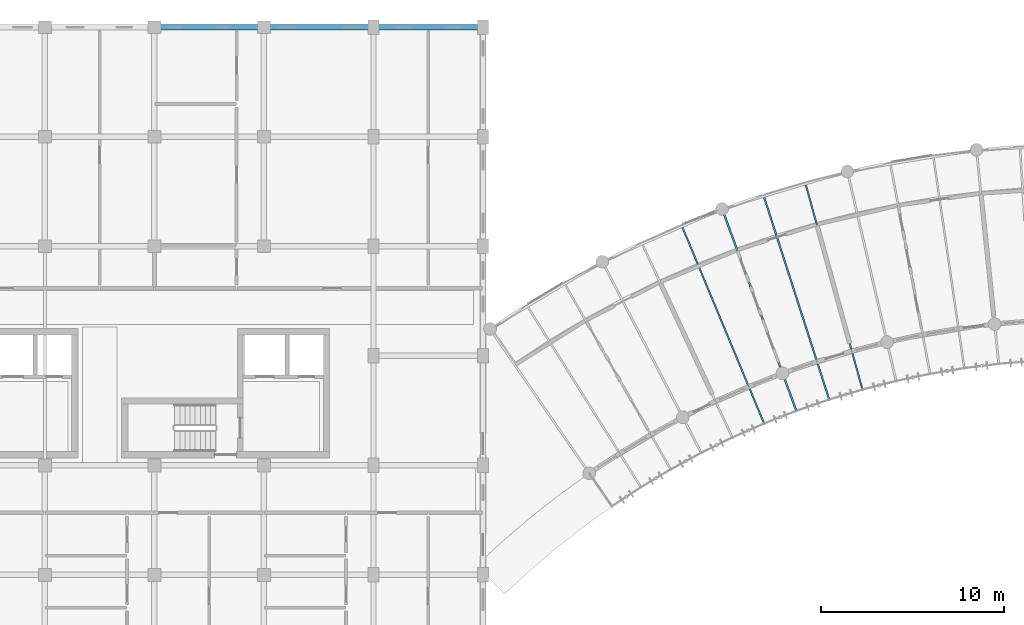
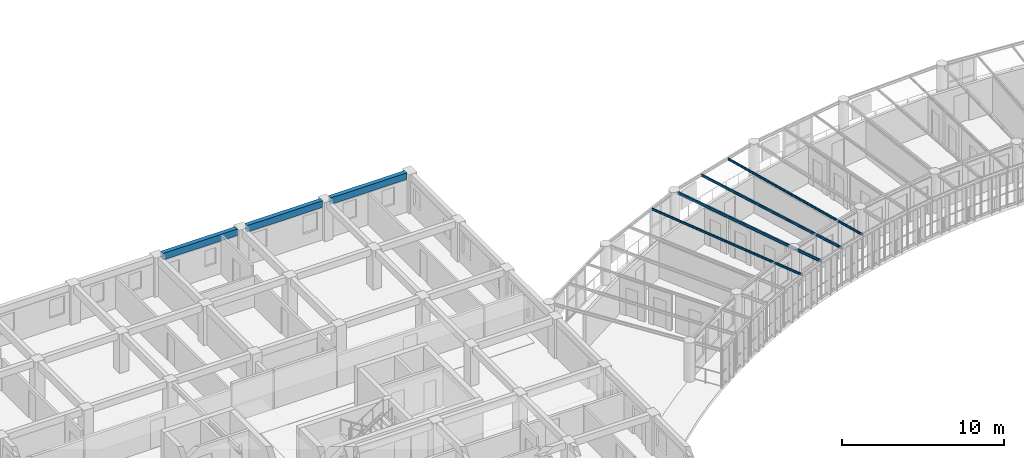
# One storey, part 53 of 137: 7 beams.
"""IFC4 building model written with IfcOpenShell, lengths in metres."""

from ifc_helpers import new_model, si_unit, direction, frame, origin, origin_2d, place, context, subcontext, project, spatial, rectangle, i_section, extrude, material, material_profile, profile_set, type_object, element, save


model = new_model("IFC4")

# Units and contexts
model_context = context("Model", 3, precision=1e-05, world=origin(), true_north=direction((0.0, 1.0)))
body_context = subcontext(model_context, "Body", "Model", "MODEL_VIEW")
ifc_project = project(units=[si_unit("LENGTHUNIT", "METRE"), si_unit("AREAUNIT", "SQUARE_METRE"), si_unit("VOLUMEUNIT", "CUBIC_METRE"), si_unit("PLANEANGLEUNIT", "RADIAN"), si_unit("MASSUNIT", "GRAM", prefix="KILO"), si_unit("POWERUNIT", "WATT"), si_unit("THERMODYNAMICTEMPERATUREUNIT", "KELVIN")], contexts=[model_context])

# Site, building, storey
site_placement = place(None, origin())
site = spatial("IfcSite", under=ifc_project, at=site_placement, CompositionType="ELEMENT")
building_placement = place(site_placement, origin())
building = spatial("IfcBuilding", under=site, at=building_placement, Name="Ruvembo Vaulted Housing Court", CompositionType="ELEMENT")
storey_placement = place(building_placement, frame((0.0, 0.0, 4.5)))
storey = spatial("IfcBuildingStorey", under=building, at=storey_placement, Name="L01", CompositionType="ELEMENT", Elevation=4.5)

# Beams
ifc_material_1 = material(Name="Steel S355J2", Category="steel")
ifc_material_profile_1 = material_profile(ifc_material_1, i_section(OverallWidth=0.08203125, OverallDepth=0.159912109375, WebThickness=0.0048828125, FlangeThickness=0.00732421875, FilletRadius=0.009033203125, at=origin_2d()), Name="IPE 160")
ifc_profile_set_1 = profile_set([ifc_material_profile_1], Name="Steel S355J2")
beam_type_1 = type_object("IfcBeamType", Name="BM-ST-IPE160", PredefinedType="JOIST", material=ifc_profile_set_1)
beam_1_placement = place(storey_placement, frame((94.927001953125, 103.041259765625, 2.860107421875), z_axis=(0.384209051793, -0.92324612348, 0.0), x_axis=(0.92324612348, 0.384209051793, 0.0)))
element("IfcBeam", 1, at=beam_1_placement, inside=storey, type_object=beam_type_1, Name="Scoop SC3 L01 Radial Steel Joist 5", PredefinedType="JOIST", context=body_context, shape_type="SweptSolid", body=[
    extrude(i_section(OverallWidth=0.08203125, OverallDepth=0.159912109375, WebThickness=0.0048828125, FlangeThickness=0.00732421875, FilletRadius=0.009033203125, at=origin_2d()), origin(), (0.0, 0.0, 1.0), 11.690673828125),
])
beam_2_placement = place(storey_placement, frame((101.68603515625, 105.3720703125, 2.860107421875), z_axis=(0.266572021247, -0.963815001693, 0.0), x_axis=(0.963815001693, 0.266572021247, 0.0)))
element("IfcBeam", 2, at=beam_2_placement, inside=storey, type_object=beam_type_1, Name="Scoop SC3 L01 Radial Steel Joist 8", PredefinedType="JOIST", context=body_context, shape_type="SweptSolid", body=[
    extrude(i_section(OverallWidth=0.08203125, OverallDepth=0.159912109375, WebThickness=0.0048828125, FlangeThickness=0.00732421875, FilletRadius=0.009033203125, at=origin_2d()), origin(), (0.0, 0.0, 1.0), 11.69091796875),
])
ifc_material_profile_2 = material_profile(ifc_material_1, i_section(OverallWidth=0.091064453125, OverallDepth=0.179931640625, WebThickness=0.00537109375, FlangeThickness=0.008056640625, FilletRadius=0.009033203125, at=origin_2d()), Name="IPE 180")
ifc_profile_set_2 = profile_set([ifc_material_profile_2], Name="Steel S355J2")
beam_type_2 = type_object("IfcBeamType", Name="BM-ST-IPE180", PredefinedType="JOIST", material=ifc_profile_set_2)
beam_3_placement = place(storey_placement, frame((99.4013671875, 104.68896484375, 2.85009765625), z_axis=(0.306337017889, -0.951923122669, 0.0), x_axis=(0.951923122669, 0.306337017889, 0.0)))
element("IfcBeam", 3, at=beam_3_placement, inside=storey, type_object=beam_type_2, Name="Scoop SC3 L01 Radial Steel Joist 7", PredefinedType="JOIST", context=body_context, shape_type="SweptSolid", body=[
    extrude(i_section(OverallWidth=0.091064453125, OverallDepth=0.179931640625, WebThickness=0.00537109375, FlangeThickness=0.008056640625, FilletRadius=0.009033203125, at=origin_2d()), origin(), (0.0, 0.0, 1.0), 11.690673828125),
])
ifc_material_profile_3 = material_profile(ifc_material_1, i_section(OverallWidth=0.10009765625, OverallDepth=0.199951171875, WebThickness=0.005615234375, FlangeThickness=0.008544921875, FilletRadius=0.011962890625, at=origin_2d()), Name="IPE 200")
ifc_profile_set_3 = profile_set([ifc_material_profile_3], Name="Steel S355J2")
beam_type_3 = type_object("IfcBeamType", Name="BM-ST-IPE200", PredefinedType="BEAM", material=ifc_profile_set_3)
beam_4_placement = place(storey_placement, frame((97.175048828125, 103.835693359375, 2.840087890625), z_axis=(0.345561130095, -0.93839624113, 0.0), x_axis=(0.93839624113, 0.345561130095, 0.0)))
element("IfcBeam", 4, at=beam_4_placement, inside=storey, type_object=beam_type_3, Name="Scoop SC3 L01 Radial Steel Joist 6", PredefinedType="BEAM", context=body_context, shape_type="SweptSolid", body=[
    extrude(i_section(OverallWidth=0.10009765625, OverallDepth=0.199951171875, WebThickness=0.005615234375, FlangeThickness=0.008544921875, FilletRadius=0.011962890625, at=origin_2d()), origin(), (0.0, 0.0, 1.0), 11.610107421875),
])
ifc_material_2 = material(Name="Concrete C35/45", Category="concrete")
ifc_material_profile_4 = material_profile(ifc_material_2, rectangle(XDim=0.300048828125, YDim=0.5, at=origin_2d()), Name="RC 300x500")
ifc_profile_set_4 = profile_set([ifc_material_profile_4], Name="Concrete C35/45")
beam_type_4 = type_object("IfcBeamType", Name="SP-RC-300x500", PredefinedType="SPANDREL", material=ifc_profile_set_4)
beam_5_placement = place(storey_placement, frame((66.3349609375, 114.0, 2.695068359375), z_axis=(1.0, 0.0, 0.0), x_axis=(0.0, 1.0, 0.0)))
element("IfcBeam", 5, at=beam_5_placement, inside=storey, type_object=beam_type_4, Name="L01 Grid Beam X #1305", PredefinedType="SPANDREL", context=body_context, shape_type="SweptSolid", body=[
    extrude(rectangle(XDim=0.300048828125, YDim=0.5, at=origin_2d()), origin(), (0.0, 0.0, 1.0), 5.330078125),
])
beam_6_placement = place(storey_placement, frame((72.3349609375, 114.0, 2.695068359375), z_axis=(1.0, 0.0, 0.0), x_axis=(0.0, 1.0, 0.0)))
element("IfcBeam", 6, at=beam_6_placement, inside=storey, type_object=beam_type_4, Name="L01 Grid Beam X #1306", PredefinedType="SPANDREL", context=body_context, shape_type="SweptSolid", body=[
    extrude(rectangle(XDim=0.300048828125, YDim=0.5, at=origin_2d()), origin(), (0.0, 0.0, 1.0), 5.380126953125),
])
beam_7_placement = place(storey_placement, frame((78.284912109375, 114.0, 2.695068359375), z_axis=(1.0, 0.0, 0.0), x_axis=(0.0, 1.0, 0.0)))
element("IfcBeam", 7, at=beam_7_placement, inside=storey, type_object=beam_type_4, Name="L01 Grid Beam X #1307", PredefinedType="SPANDREL", context=body_context, shape_type="SweptSolid", body=[
    extrude(rectangle(XDim=0.300048828125, YDim=0.5, at=origin_2d()), origin(), (0.0, 0.0, 1.0), 5.43017578125),
])

save(model, "model.ifc")
